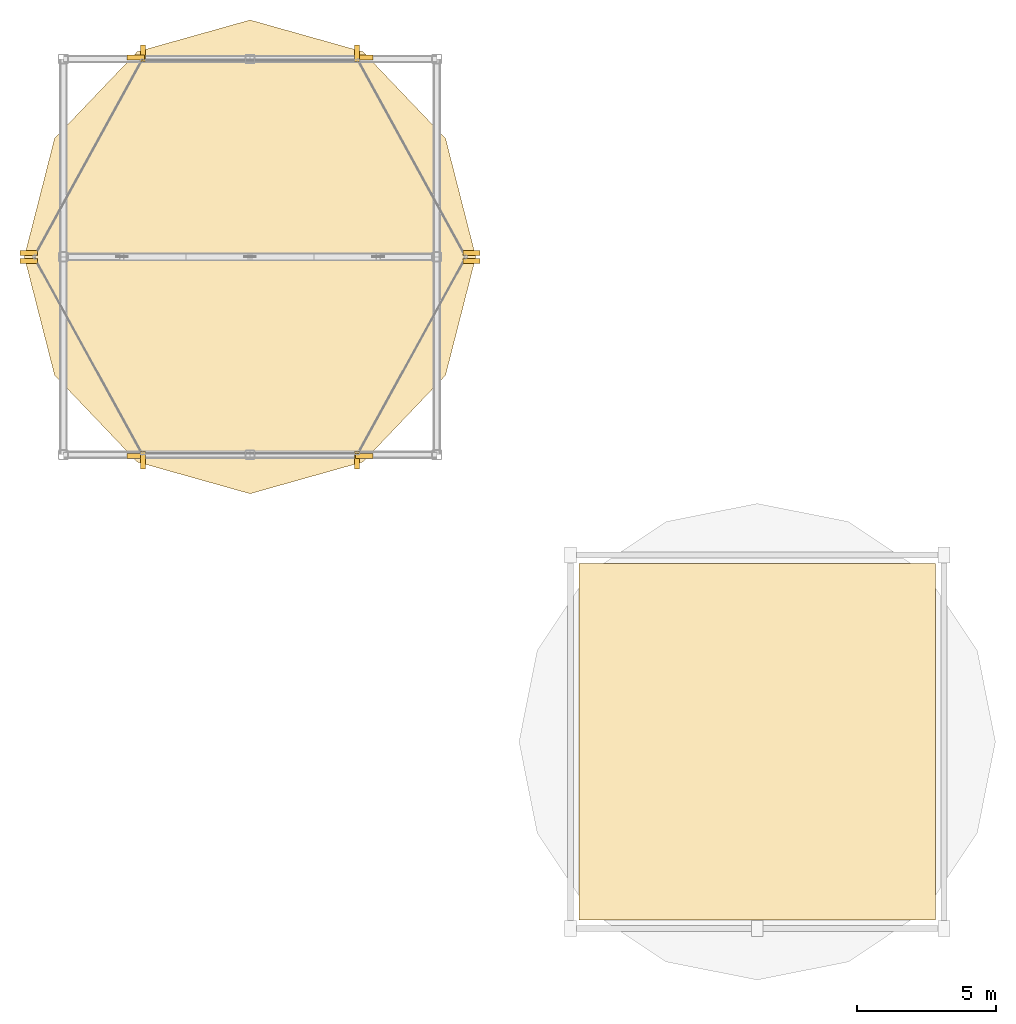
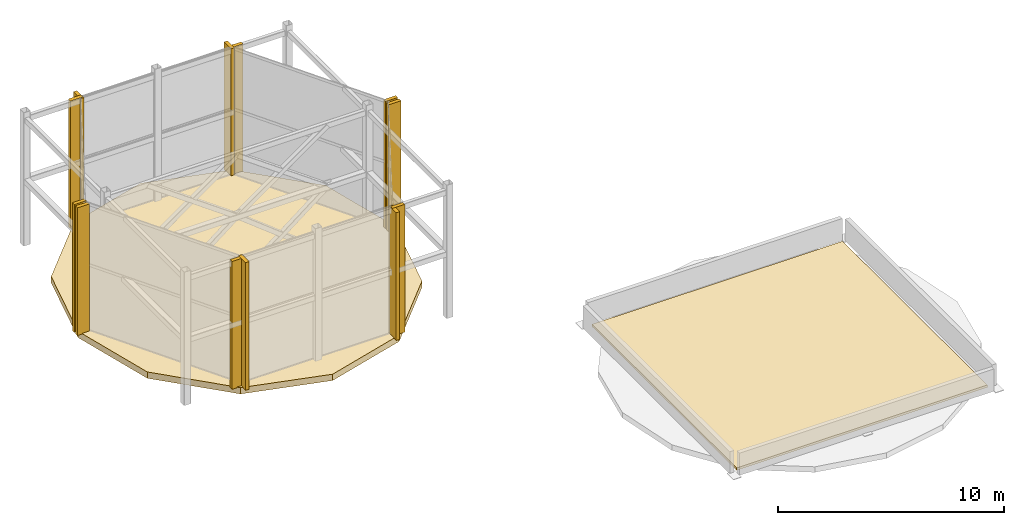
# One storey, part 8 of 8: 14 coverings.
"""IFC4 building model written with IfcOpenShell, lengths in metres."""

from ifc_helpers import new_model, si_unit, direction, frame, origin, origin_2d, place, context, subcontext, project, spatial, polyline, rectangle, outline, extrude, material, layer, layer_set, type_object, element, save


model = new_model("IFC4")

# Units and contexts
model_context = context("Model", 3, precision=1e-05, world=origin(), true_north=direction((0.0, 1.0)))
body_context = subcontext(model_context, "Body", "Model", "MODEL_VIEW")
ifc_project = project(units=[si_unit("LENGTHUNIT", "METRE"), si_unit("AREAUNIT", "SQUARE_METRE"), si_unit("VOLUMEUNIT", "CUBIC_METRE"), si_unit("PLANEANGLEUNIT", "RADIAN"), si_unit("MASSUNIT", "GRAM", prefix="KILO")], contexts=[model_context])

# Site, building, storey
site_placement = place(None, origin())
site = spatial("IfcSite", under=ifc_project, at=site_placement, CompositionType="ELEMENT")
building_placement = place(site_placement, origin())
building = spatial("IfcBuilding", under=site, at=building_placement, Name="Solvaryn Broadcast Tower", CompositionType="ELEMENT")
storey_placement = place(building_placement, frame((0.0, 0.0, 322.199951171875)))
storey = spatial("IfcBuildingStorey", under=building, at=storey_placement, Name="Roof East", CompositionType="ELEMENT", Elevation=322.199951171875)

# Coverings
ifc_material_1 = material(Name="Insulated Protected Membrane Roofing", Category="concrete")
ifc_layer_1 = layer(ifc_material_1, 0.1201171875)
ifc_layer_set_1 = layer_set([ifc_layer_1], Name="CV-ROOF-MEMB")
covering_type_1 = type_object("IfcCoveringType", Name="CV-ROOF-MEMB", PredefinedType="ROOFING", material=ifc_layer_set_1)
covering_1_placement = place(storey_placement, origin())
element("IfcCovering", 1, at=covering_1_placement, inside=storey, type_object=covering_type_1, Name="East Peak Insulated Roof Membrane", PredefinedType="ROOFING", context=body_context, shape_type="SweptSolid", body=[
    extrude(outline(polyline([(29.699951171875, 11.5), (42.5, 11.5), (42.5, 24.300048828125), (29.699951171875, 24.300048828125), (29.699951171875, 11.5)])), origin(), (0.0, 0.0, 1.0), 0.1201171875),
])
ifc_material_2 = material(Name="Extruded Architectural Terracotta Fin", Category="masonry")
ifc_layer_2 = layer(ifc_material_2, 0.179931640625)
ifc_layer_set_2 = layer_set([ifc_layer_2], Name="CV-TC-FIN")
covering_type_2 = type_object("IfcCoveringType", Name="CV-TC-FIN", PredefinedType="USERDEFINED", material=ifc_layer_set_2)
for number, where, z_axis, x_axis, name in (
    (2, (25.845703125, 35.4423828125, 0.0), (0.0, 0.0, 1.0), (1.0, 0.0, 0.0), "Roof East Terracotta Vertical Fin FIN-CR-W-RoofEast-1-M00"),
    (3, (21.99951171875, 42.44775390625, 0.0), (0.0, 0.0, 1.0), (1.0, 0.0, 0.0), "Roof East Terracotta Vertical Fin FIN-CR-W-RoofEast-1-M01"),
):
    element("IfcCovering", number, at=place(storey_placement, frame(where, z_axis=z_axis, x_axis=x_axis)), inside=storey, type_object=covering_type_2, Name=name, ObjectType="FIN", PredefinedType="USERDEFINED", context=body_context, shape_type="SweptSolid", body=[
        extrude(rectangle(XDim=0.6201171875, YDim=0.179931640625, at=origin_2d()), origin(), (0.0, 0.0, 1.0), 6.89990234375),
    ])
for number, where, z_axis, x_axis, name in (
    (4, (21.7451171875, 42.597900390625, 0.0), (0.0, 0.0, 1.0), (1.0, 0.0, 0.0), "Roof East Terracotta Vertical Fin FIN-CR-W-RoofEast-2-M00"),
    (5, (14.054931640625, 42.597900390625, 0.0), (0.0, 0.0, 1.0), (1.0, 0.0, 0.0), "Roof East Terracotta Vertical Fin FIN-CR-W-RoofEast-2-M01"),
):
    element("IfcCovering", number, at=place(storey_placement, frame(where, z_axis=z_axis, x_axis=x_axis)), inside=storey, type_object=covering_type_2, Name=name, ObjectType="FIN", PredefinedType="USERDEFINED", context=body_context, shape_type="SweptSolid", body=[
        extrude(rectangle(XDim=0.179931640625, YDim=0.6201171875, at=origin_2d()), origin(), (0.0, 0.0, 1.0), 6.89990234375),
    ])
for number, where, z_axis, x_axis, name in (
    (6, (13.800537109375, 42.44775390625, 0.0), (0.0, 0.0, 1.0), (1.0, 0.0, 0.0), "Roof East Terracotta Vertical Fin FIN-CR-W-RoofEast-3-M00"),
    (7, (9.954345703125, 35.4423828125, 0.0), (0.0, 0.0, 1.0), (1.0, 0.0, 0.0), "Roof East Terracotta Vertical Fin FIN-CR-W-RoofEast-3-M01"),
    (8, (9.954345703125, 35.15771484375, 0.0), (0.0, 0.0, 1.0), (1.0, 0.0, 0.0), "Roof East Terracotta Vertical Fin FIN-CR-W-RoofEast-4-M00"),
    (9, (13.800537109375, 28.15234375, 0.0), (0.0, 0.0, 1.0), (1.0, 0.0, 0.0), "Roof East Terracotta Vertical Fin FIN-CR-W-RoofEast-4-M01"),
):
    element("IfcCovering", number, at=place(storey_placement, frame(where, z_axis=z_axis, x_axis=x_axis)), inside=storey, type_object=covering_type_2, Name=name, ObjectType="FIN", PredefinedType="USERDEFINED", context=body_context, shape_type="SweptSolid", body=[
        extrude(rectangle(XDim=0.6201171875, YDim=0.179931640625, at=origin_2d()), origin(), (0.0, 0.0, 1.0), 6.89990234375),
    ])
for number, where, z_axis, x_axis, name in (
    (10, (14.054931640625, 28.001953125, 0.0), (0.0, 0.0, 1.0), (1.0, 0.0, 0.0), "Roof East Terracotta Vertical Fin FIN-CR-W-RoofEast-5-M00"),
    (11, (21.7451171875, 28.001953125, 0.0), (0.0, 0.0, 1.0), (1.0, 0.0, 0.0), "Roof East Terracotta Vertical Fin FIN-CR-W-RoofEast-5-M01"),
):
    element("IfcCovering", number, at=place(storey_placement, frame(where, z_axis=z_axis, x_axis=x_axis)), inside=storey, type_object=covering_type_2, Name=name, ObjectType="FIN", PredefinedType="USERDEFINED", context=body_context, shape_type="SweptSolid", body=[
        extrude(rectangle(XDim=0.179931640625, YDim=0.6201171875, at=origin_2d()), origin(), (0.0, 0.0, 1.0), 6.89990234375),
    ])
for number, where, z_axis, x_axis, name in (
    (12, (21.99951171875, 28.15234375, 0.0), (0.0, 0.0, 1.0), (1.0, 0.0, 0.0), "Roof East Terracotta Vertical Fin FIN-CR-W-RoofEast-6-M00"),
    (13, (25.845703125, 35.15771484375, 0.0), (0.0, 0.0, 1.0), (1.0, 0.0, 0.0), "Roof East Terracotta Vertical Fin FIN-CR-W-RoofEast-6-M01"),
):
    element("IfcCovering", number, at=place(storey_placement, frame(where, z_axis=z_axis, x_axis=x_axis)), inside=storey, type_object=covering_type_2, Name=name, ObjectType="FIN", PredefinedType="USERDEFINED", context=body_context, shape_type="SweptSolid", body=[
        extrude(rectangle(XDim=0.6201171875, YDim=0.179931640625, at=origin_2d()), origin(), (0.0, 0.0, 1.0), 6.89990234375),
    ])
ifc_material_3 = material(Name="Sculpted Architectural Terracotta Wave Fascia", Category="masonry")
ifc_layer_3 = layer(ifc_material_3, 0.340087890625)
ifc_layer_set_3 = layer_set([ifc_layer_3], Name="CV-WAVE-TRAY")
covering_type_3 = type_object("IfcCoveringType", Name="CV-WAVE-TRAY", PredefinedType="CLADDING", material=ifc_layer_set_3)
covering_2_placement = place(storey_placement, frame((0.0, 0.0, -0.300048828125)))
element("IfcCovering", 14, at=covering_2_placement, inside=storey, type_object=covering_type_3, Name="Roof East Crown Lantern Drum Base W", PredefinedType="CLADDING", context=body_context, shape_type="SweptSolid", body=[
    extrude(outline(polyline([(26.0, 35.300048828125), (24.9150390625, 39.550048828125), (21.949951171875, 42.660888671875), (17.89990234375, 43.800048828125), (13.85009765625, 42.660888671875), (10.885009765625, 39.550048828125), (9.800048828125, 35.300048828125), (10.885009765625, 31.050048828125), (13.85009765625, 27.93896484375), (17.89990234375, 26.800048828125), (21.949951171875, 27.93896484375), (24.9150390625, 31.050048828125), (26.0, 35.300048828125)])), origin(), (0.0, 0.0, 1.0), 0.340087890625),
])

save(model, "model.ifc")
